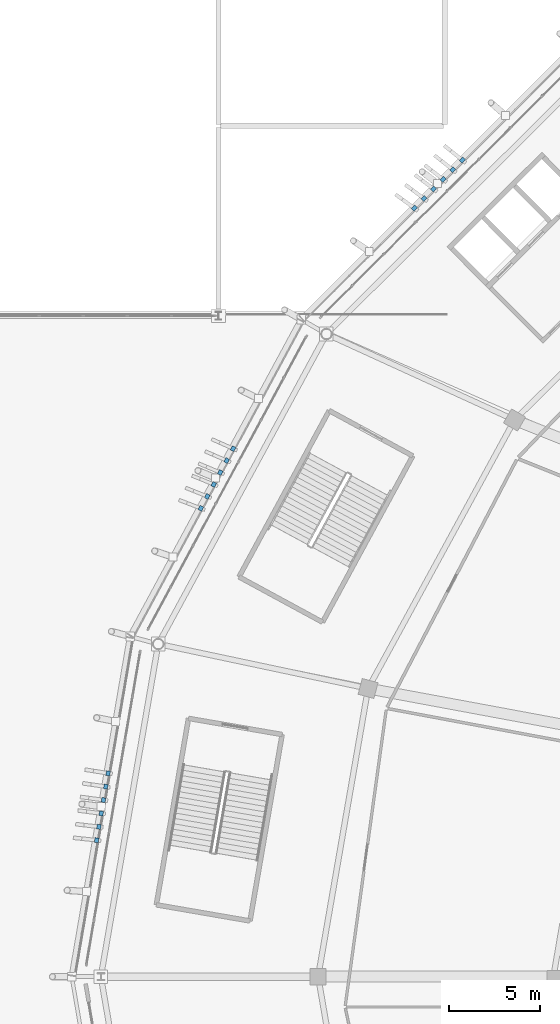
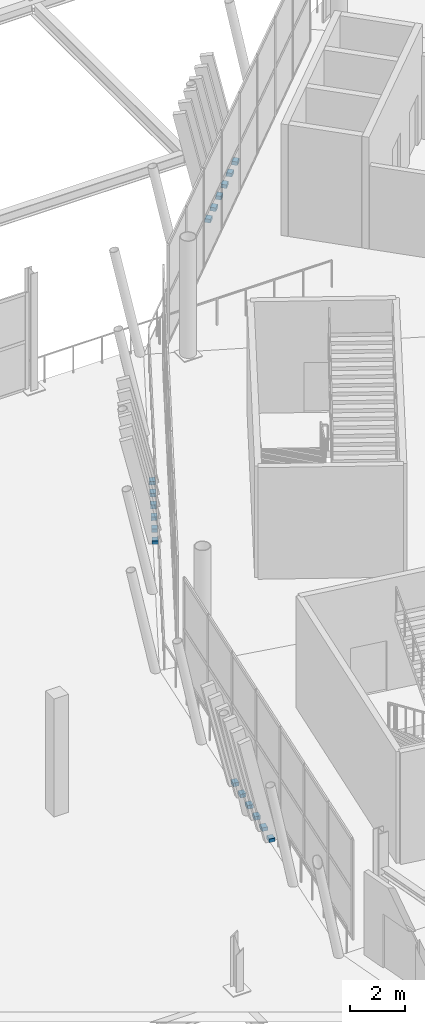
# One storey, part 139 of 178: 18 discrete accessories.
"""IFC4 building model written with IfcOpenShell, lengths in metres."""

from ifc_helpers import new_model, si_unit, direction, frame, origin, origin_2d, place, context, subcontext, project, spatial, rectangle, extrude, material, type_object, element, save


model = new_model("IFC4")

# Units and contexts
model_context = context("Model", 3, precision=1e-05, world=origin(), true_north=direction((0.0, 1.0)))
body_context = subcontext(model_context, "Body", "Model", "MODEL_VIEW")
ifc_project = project(units=[si_unit("LENGTHUNIT", "METRE"), si_unit("AREAUNIT", "SQUARE_METRE"), si_unit("VOLUMEUNIT", "CUBIC_METRE"), si_unit("PLANEANGLEUNIT", "RADIAN"), si_unit("MASSUNIT", "GRAM", prefix="KILO")], contexts=[model_context])

# Site, building, storey
site_placement = place(None, origin())
site = spatial("IfcSite", under=ifc_project, at=site_placement, CompositionType="ELEMENT")
building_placement = place(site_placement, origin())
building = spatial("IfcBuilding", under=site, at=building_placement, Name="Zlatoyarsky Gate Stadium", CompositionType="ELEMENT")
storey_placement = place(building_placement, frame((0.0, 0.0, 5.39990234375)))
storey = spatial("IfcBuildingStorey", under=building, at=storey_placement, Name="L01", CompositionType="ELEMENT", Elevation=5.39990234375)

# Discrete accessories
ifc_material = material(Name="Steel S355", Category="steel")
discrete_accessory_type = type_object("IfcDiscreteAccessoryType", Name="STEEL LOUVRE ANCHOR BRACKET 260X220X160", PredefinedType="BRACKET", material=ifc_material)
for number, where, z_axis, x_axis, name in (
    (1, (37.972900390625, 125.1005859375, -0.02001953125), (0.0, 0.0, 1.0), (-0.70713737745, -0.707076183599, 0.0), "Louvre anchor bracket L01-09-1"),
    (2, (37.442626953125, 124.5703125, -0.02001953125), (0.0, 0.0, 1.0), (-0.70713737745, -0.707076183599, 0.0), "Louvre anchor bracket L01-09-2"),
    (3, (36.912353515625, 124.0400390625, -0.02001953125), (0.0, 0.0, 1.0), (-0.70713737745, -0.707076183599, 0.0), "Louvre anchor bracket L01-09-3"),
    (4, (36.3818359375, 123.509765625, -0.02001953125), (0.0, 0.0, 1.0), (-0.70713737745, -0.707076183599, 0.0), "Louvre anchor bracket L01-09-4"),
    (5, (35.8515625, 122.9794921875, -0.02001953125), (0.0, 0.0, 1.0), (-0.70713737745, -0.707076183599, 0.0), "Louvre anchor bracket L01-09-5"),
    (6, (35.3212890625, 122.44921875, -0.02001953125), (0.0, 0.0, 1.0), (-0.70713737745, -0.707076183599, 0.0), "Louvre anchor bracket L01-09-6"),
    (7, (25.304931640625, 109.16796875, -0.02001953125), (0.0, 0.0, 1.0), (-0.475049594903, -0.879959023127, 0.0), "Louvre anchor bracket L01-10-1"),
    (8, (24.948486328125, 108.508056640625, -0.02001953125), (0.0, 0.0, 1.0), (-0.475049594903, -0.879959023127, 0.0), "Louvre anchor bracket L01-10-2"),
    (9, (24.59228515625, 107.847900390625, -0.02001953125), (0.0, 0.0, 1.0), (-0.475049594903, -0.879959023127, 0.0), "Louvre anchor bracket L01-10-3"),
    (10, (24.236083984375, 107.18798828125, -0.02001953125), (0.0, 0.0, 1.0), (-0.475049594903, -0.879959023127, 0.0), "Louvre anchor bracket L01-10-4"),
    (11, (23.8798828125, 106.528076171875, -0.02001953125), (0.0, 0.0, 1.0), (-0.475049594903, -0.879959023127, 0.0), "Louvre anchor bracket L01-10-5"),
    (12, (23.5234375, 105.8681640625, -0.02001953125), (0.0, 0.0, 1.0), (-0.475049594903, -0.879959023127, 0.0), "Louvre anchor bracket L01-10-6"),
    (13, (18.399169921875, 91.23388671875, -0.02001953125), (0.0, 0.0, 1.0), (-0.169115662745, -0.985596211749, 0.0), "Louvre anchor bracket L01-11-1"),
    (14, (18.272216796875, 90.49462890625, -0.02001953125), (0.0, 0.0, 1.0), (-0.169115662745, -0.985596211749, 0.0), "Louvre anchor bracket L01-11-2"),
    (15, (18.1455078125, 89.755615234375, -0.02001953125), (0.0, 0.0, 1.0), (-0.169115662745, -0.985596211749, 0.0), "Louvre anchor bracket L01-11-3"),
    (16, (18.0185546875, 89.016357421875, -0.02001953125), (0.0, 0.0, 1.0), (-0.169115662745, -0.985596211749, 0.0), "Louvre anchor bracket L01-11-4"),
    (17, (17.8916015625, 88.277099609375, -0.02001953125), (0.0, 0.0, 1.0), (-0.169115662745, -0.985596211749, 0.0), "Louvre anchor bracket L01-11-5"),
    (18, (17.764892578125, 87.537841796875, -0.02001953125), (0.0, 0.0, 1.0), (-0.169115662745, -0.985596211749, 0.0), "Louvre anchor bracket L01-11-6"),
):
    element("IfcDiscreteAccessory", number, at=place(storey_placement, frame(where, z_axis=z_axis, x_axis=x_axis)), inside=storey, type_object=discrete_accessory_type, Name=name, PredefinedType="BRACKET", context=body_context, shape_type="SweptSolid", body=[
        extrude(rectangle(XDim=0.260009765625, YDim=0.219970703125, at=origin_2d()), origin(), (0.0, 0.0, 1.0), 0.159912109375),
    ])

save(model, "model.ifc")
